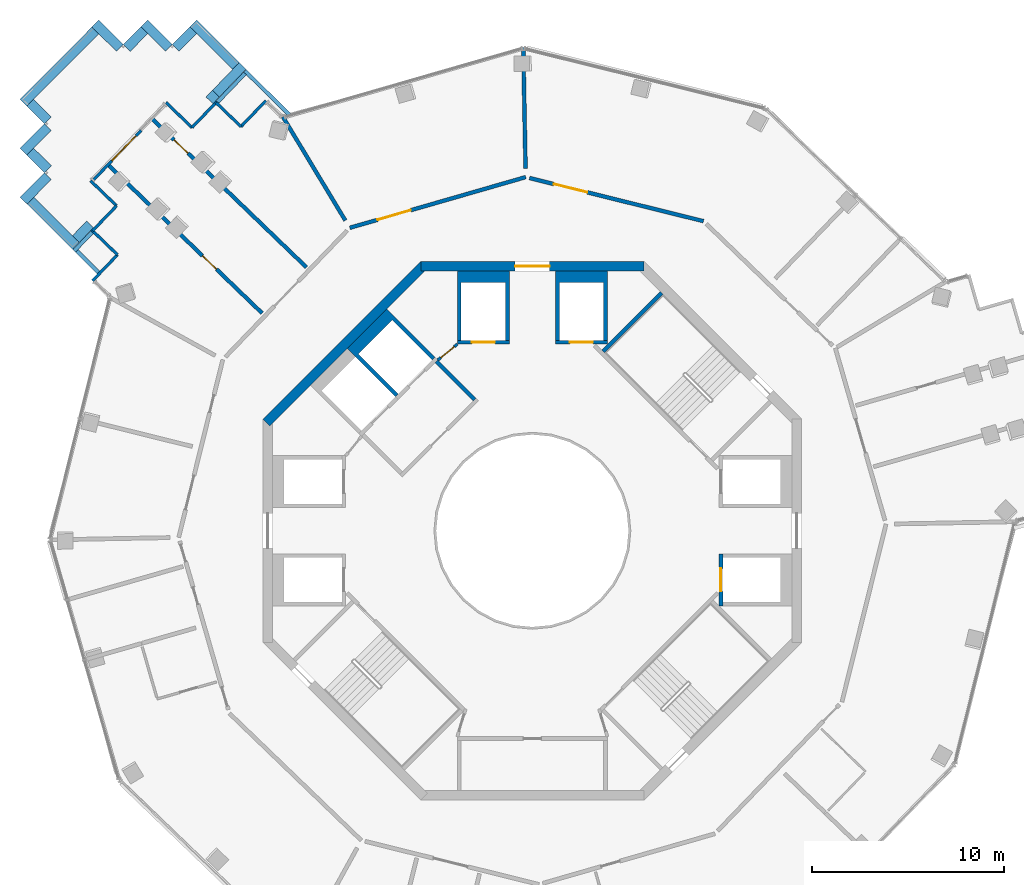
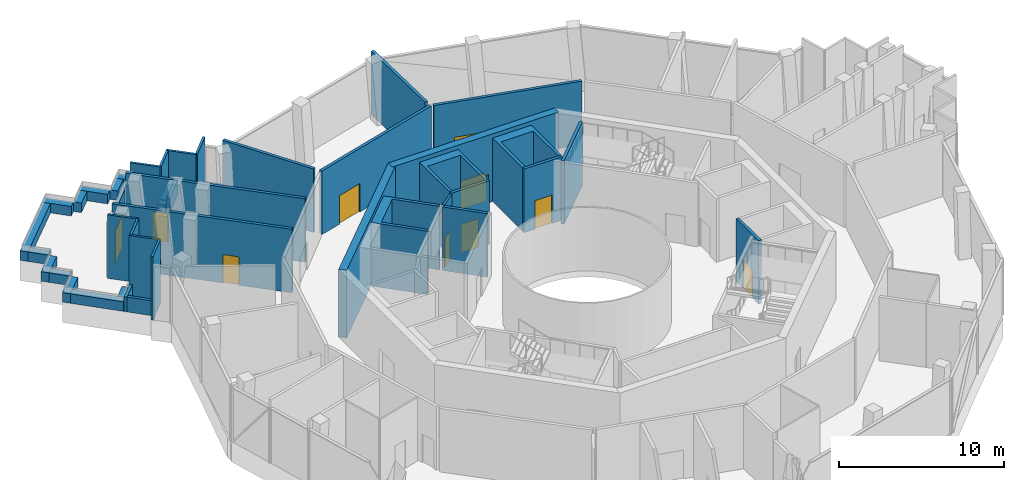
# One storey, part 10 of 17: 44 walls, 10 doors, 10 openings.
"""IFC4 building model written with IfcOpenShell, lengths in metres."""

from ifc_helpers import new_model, si_unit, direction, frame, frame_2d, origin, place, context, subcontext, project, spatial, polyline, rectangle, outline, extrude, material, layer, layer_set, type_object, element, fill, save


model = new_model("IFC4")

# Units and contexts
model_context = context("Model", 3, precision=1e-05, world=origin(), true_north=direction((0.0, 1.0)))
body_context = subcontext(model_context, "Body", "Model", "MODEL_VIEW")
ifc_project = project(units=[si_unit("LENGTHUNIT", "METRE"), si_unit("AREAUNIT", "SQUARE_METRE"), si_unit("VOLUMEUNIT", "CUBIC_METRE"), si_unit("PLANEANGLEUNIT", "RADIAN"), si_unit("MASSUNIT", "GRAM", prefix="KILO")], contexts=[model_context])

# Site, building, storey
site_placement = place(None, origin())
site = spatial("IfcSite", under=ifc_project, at=site_placement, CompositionType="ELEMENT")
building_placement = place(site_placement, origin())
building = spatial("IfcBuilding", under=site, at=building_placement, Name="Verdalira Terraces Hotel", CompositionType="ELEMENT")
storey_placement = place(building_placement, frame((0.0, 0.0, 222.0)))
storey = spatial("IfcBuildingStorey", under=building, at=storey_placement, Name="L54", CompositionType="ELEMENT", Elevation=222.0)

# Walls
ifc_material_1 = material(Name="Concrete C40", Category="concrete")
ifc_layer_1 = layer(ifc_material_1, 0.5)
ifc_layer_set_1 = layer_set([ifc_layer_1], Name="Balcony planter trough with tree")
wall_type_1 = type_object("IfcWallType", Name="Balcony planter trough with tree", PredefinedType="SOLIDWALL", material=ifc_layer_set_1)
wall_1_placement = place(storey_placement, frame((-16.784424, 22.369629, 0.0), z_axis=(0.0, 0.0, 1.0), x_axis=(0.693622313, 0.72033887, 0.0)))
element("IfcWall", 1, at=wall_1_placement, inside=storey, type_object=wall_type_1, Name="Balcony planter", PredefinedType="SOLIDWALL", context=body_context, shape_type="SweptSolid", body=[
    extrude(rectangle(XDim=0.484375, YDim=0.5, at=frame_2d((0.242188, 0.0))), origin(), (0.0, 0.0, 1.0), 0.699951),
])
wall_2_placement = place(storey_placement, frame((-16.448486, 22.718506, 0.0), z_axis=(0.0, 0.0, 1.0), x_axis=(0.693644028, 0.72031796, 0.0)))
element("IfcWall", 2, at=wall_2_placement, inside=storey, type_object=wall_type_1, Name="Balcony planter", PredefinedType="SOLIDWALL", context=body_context, shape_type="SweptSolid", body=[
    extrude(rectangle(XDim=2.004395, YDim=0.5, at=frame_2d((1.002197, 0.0))), origin(), (0.0, 0.0, 1.0), 0.699951),
])
wall_3_placement = place(storey_placement, frame((-15.408691, 24.164551, 0.0), z_axis=(0.0, 0.0, 1.0), x_axis=(-0.708550529, 0.70566008, 0.0)))
element("IfcWall", 3, at=wall_3_placement, inside=storey, type_object=wall_type_1, Name="Balcony planter", PredefinedType="SOLIDWALL", context=body_context, shape_type="SweptSolid", body=[
    extrude(rectangle(XDim=3.125244, YDim=0.5, at=frame_2d((1.5625, 0.0))), origin(), (0.0, 0.0, 1.0), 0.699951),
])
wall_4_placement = place(storey_placement, frame((-17.622314, 26.016113, 0.0), z_axis=(0.0, 0.0, 1.0), x_axis=(-0.705602704, -0.708607666, 0.0)))
element("IfcWall", 4, at=wall_4_placement, inside=storey, type_object=wall_type_1, Name="Balcony planter", PredefinedType="SOLIDWALL", context=body_context, shape_type="SweptSolid", body=[
    extrude(rectangle(XDim=1.300049, YDim=0.5, at=frame_2d((0.649902, 0.0))), origin(), (0.0, 0.0, 1.0), 0.699951),
])
wall_5_placement = place(storey_placement, frame((-18.893311, 25.094238, 0.0), z_axis=(0.0, 0.0, 1.0), x_axis=(-0.708529459, 0.705681235, 0.0)))
element("IfcWall", 5, at=wall_5_placement, inside=storey, type_object=wall_type_1, Name="Balcony planter", PredefinedType="SOLIDWALL", context=body_context, shape_type="SweptSolid", body=[
    extrude(rectangle(XDim=1.800049, YDim=0.5, at=frame_2d((0.899902, 0.0))), origin(), (0.0, 0.0, 1.0), 0.699951),
])
wall_6_placement = place(storey_placement, frame((-20.167969, 26.010986, 0.0), z_axis=(0.0, 0.0, 1.0), x_axis=(-0.705602704, -0.708607666, 0.0)))
element("IfcWall", 6, at=wall_6_placement, inside=storey, type_object=wall_type_1, Name="Balcony planter", PredefinedType="SOLIDWALL", context=body_context, shape_type="SweptSolid", body=[
    extrude(rectangle(XDim=1.300049, YDim=0.5, at=frame_2d((0.649902, 0.0))), origin(), (0.0, 0.0, 1.0), 0.699951),
])
wall_7_placement = place(storey_placement, frame((-21.438721, 25.089111, 0.0), z_axis=(0.0, 0.0, 1.0), x_axis=(-0.708597276, 0.705613138, 0.0)))
element("IfcWall", 7, at=wall_7_placement, inside=storey, type_object=wall_type_1, Name="Balcony planter", PredefinedType="SOLIDWALL", context=body_context, shape_type="SweptSolid", body=[
    extrude(rectangle(XDim=1.799805, YDim=0.5, at=frame_2d((0.899902, 0.0))), origin(), (0.0, 0.0, 1.0), 0.699951),
])
wall_8_placement = place(storey_placement, frame((-22.713379, 26.005615, 0.0), z_axis=(0.0, 0.0, 1.0), x_axis=(-0.705631245, -0.708579244, 0.0)))
element("IfcWall", 8, at=wall_8_placement, inside=storey, type_object=wall_type_1, Name="Balcony planter", PredefinedType="SOLIDWALL", context=body_context, shape_type="SweptSolid", body=[
    extrude(rectangle(XDim=5.300293, YDim=0.5, at=frame_2d((2.650146, 0.0))), origin(), (0.0, 0.0, 1.0), 0.699951),
])
wall_9_placement = place(storey_placement, frame((-26.099854, 22.250732, 0.0), z_axis=(0.0, 0.0, 1.0), x_axis=(0.708701153, -0.705508806, 0.0)))
element("IfcWall", 9, at=wall_9_placement, inside=storey, type_object=wall_type_1, Name="Balcony planter", PredefinedType="SOLIDWALL", context=body_context, shape_type="SweptSolid", body=[
    extrude(rectangle(XDim=1.300049, YDim=0.5, at=frame_2d((0.649902, 0.0))), origin(), (0.0, 0.0, 1.0), 0.699951),
])
wall_10_placement = place(storey_placement, frame((-25.177734, 20.97998, 0.0), z_axis=(0.0, 0.0, 1.0), x_axis=(-0.705681235, -0.708529459, 0.0)))
element("IfcWall", 10, at=wall_10_placement, inside=storey, type_object=wall_type_1, Name="Balcony planter", PredefinedType="SOLIDWALL", context=body_context, shape_type="SweptSolid", body=[
    extrude(rectangle(XDim=1.800049, YDim=0.5, at=frame_2d((0.899902, 0.0))), origin(), (0.0, 0.0, 1.0), 0.699951),
])
wall_11_placement = place(storey_placement, frame((-26.094482, 19.705322, 0.0), z_axis=(0.0, 0.0, 1.0), x_axis=(0.708513768, -0.705696989, 0.0)))
element("IfcWall", 11, at=wall_11_placement, inside=storey, type_object=wall_type_1, Name="Balcony planter", PredefinedType="SOLIDWALL", context=body_context, shape_type="SweptSolid", body=[
    extrude(rectangle(XDim=1.300049, YDim=0.5, at=frame_2d((0.649902, 0.0))), origin(), (0.0, 0.0, 1.0), 0.699951),
])
wall_12_placement = place(storey_placement, frame((-25.172607, 18.434326, 0.0), z_axis=(0.0, 0.0, 1.0), x_axis=(-0.705613138, -0.708597276, 0.0)))
element("IfcWall", 12, at=wall_12_placement, inside=storey, type_object=wall_type_1, Name="Balcony planter", PredefinedType="SOLIDWALL", context=body_context, shape_type="SweptSolid", body=[
    extrude(rectangle(XDim=1.799805, YDim=0.5, at=frame_2d((0.899902, 0.0))), origin(), (0.0, 0.0, 1.0), 0.699951),
])
wall_13_placement = place(storey_placement, frame((-26.089111, 17.159668, 0.0), z_axis=(0.0, 0.0, 1.0), x_axis=(0.708602295, -0.705608098, 0.0)))
element("IfcWall", 13, at=wall_13_placement, inside=storey, type_object=wall_type_1, Name="Balcony planter", PredefinedType="SOLIDWALL", context=body_context, shape_type="SweptSolid", body=[
    extrude(rectangle(XDim=3.343018, YDim=0.5, at=frame_2d((1.671387, 0.0))), origin(), (0.0, 0.0, 1.0), 0.699951),
])
wall_14_placement = place(storey_placement, frame((-23.72998, 15.157227, 0.0), z_axis=(0.0, 0.0, 1.0), x_axis=(0.693659192, 0.720303357, 0.0)))
element("IfcWall", 14, at=wall_14_placement, inside=storey, type_object=wall_type_1, Name="Balcony planter", PredefinedType="SOLIDWALL", context=body_context, shape_type="SweptSolid", body=[
    extrude(rectangle(XDim=1.072021, YDim=0.5, at=frame_2d((0.536133, 0.0))), origin(), (0.0, 0.0, 1.0), 0.699951),
])

# Wall, opening, door
ifc_material_2 = material(Name="Concrete C50", Category="concrete")
ifc_layer_2 = layer(ifc_material_2, 0.199951171875)
ifc_layer_set_2 = layer_set([ifc_layer_2], Name="Core RC wall 200 C50")
wall_type_2 = type_object("IfcWallType", Name="Core RC wall 200 C50", PredefinedType="SOLIDWALL", material=ifc_layer_set_2)
wall_15_placement = place(storey_placement, frame((9.800049, -1.199951, 0.0), z_axis=(0.0, 0.0, 1.0), x_axis=(0.0, -1.0, 0.0)))
wall_15 = element("IfcWall", 15, at=wall_15_placement, inside=storey, type_object=wall_type_2, Name="L54 shaft front wall E1", PredefinedType="SOLIDWALL", context=body_context, shape_type="SweptSolid", body=[
    extrude(rectangle(XDim=2.699951, YDim=0.199951, at=frame_2d((1.350098, 0.0))), origin(), (0.0, 0.0, 1.0), 4.689941),
])
opening_1_placement = place(wall_15_placement, frame((0.75, 0.0, 0.0)))
opening_1 = element("IfcOpeningElement", 16, at=opening_1_placement, cuts=wall_15, Name="Opening LD-L54-802", PredefinedType="OPENING", context=body_context, shape_type="SweptSolid", body=[
    extrude(rectangle(XDim=1.199951, YDim=2.100098, at=frame_2d((0.600098, 1.050049))), frame((0.0, 0.109863, 0.0), z_axis=(0.0, -1.0, 0.0), x_axis=(1.0, 0.0, 0.0)), (0.0, 0.0, 1.0), 0.219971),
])
ifc_material_3 = material(Name="Stainless steel", Category="steel")
door_type_1 = type_object("IfcDoorType", Name="Landing door 1200 x 2100", OperationType="NOTDEFINED", PredefinedType="DOOR", material=ifc_material_3)
door_1_placement = place(opening_1_placement, origin())
door_1 = element("IfcDoor", 17, at=door_1_placement, inside=storey, type_object=door_type_1, Name="Lift landing door HR1 L54", OperationType="DOUBLE_DOOR_SLIDING", OverallHeight=2.10009765625, OverallWidth=1.199951171875, PredefinedType="DOOR", context=body_context, shape_type="SweptSolid", body=[
    extrude(rectangle(XDim=1.199951, YDim=2.100098, at=frame_2d((0.600098, 1.050049))), frame((0.0, 0.024902, 0.0), z_axis=(0.0, -1.0, 0.0), x_axis=(1.0, 0.0, 0.0)), (0.0, 0.0, 1.0), 0.050049),
])
fill(opening_1, door_1)

# Wall
wall_16_placement = place(storey_placement, origin())
element("IfcWall", 18, at=wall_16_placement, inside=storey, type_object=wall_type_2, Name="L54 shaft wall N1", PredefinedType="SOLIDWALL", context=body_context, shape_type="SweptSolid", body=[
    extrude(outline(polyline([(3.899902, 9.899902), (3.699951, 9.899902), (3.699951, 12.899902), (1.399902, 12.899902), (1.399902, 9.899902), (1.199951, 9.899902), (1.199951, 13.5), (3.899902, 13.5), (3.899902, 9.899902)])), origin(), (0.0, 0.0, 1.0), 4.689941),
])

# Wall, opening, door
wall_17_placement = place(storey_placement, frame((1.199951, 9.800049, 0.0), z_axis=(0.0, 0.0, 1.0), x_axis=(1.0, 0.0, 0.0)))
wall_17 = element("IfcWall", 19, at=wall_17_placement, inside=storey, type_object=wall_type_2, Name="L54 shaft front wall N1", PredefinedType="SOLIDWALL", context=body_context, shape_type="SweptSolid", body=[
    extrude(rectangle(XDim=2.699951, YDim=0.199951, at=frame_2d((1.350098, 0.0))), origin(), (0.0, 0.0, 1.0), 4.689941),
])
opening_2_placement = place(wall_17_placement, frame((0.75, 0.0, 0.0)))
opening_2 = element("IfcOpeningElement", 20, at=opening_2_placement, cuts=wall_17, Name="Opening LD-L54-804", PredefinedType="OPENING", context=body_context, shape_type="SweptSolid", body=[
    extrude(rectangle(XDim=1.199951, YDim=2.100098, at=frame_2d((0.600098, 1.050049))), frame((0.0, 0.109863, 0.0), z_axis=(0.0, -1.0, 0.0), x_axis=(1.0, 0.0, 0.0)), (0.0, 0.0, 1.0), 0.219971),
])
door_2_placement = place(opening_2_placement, origin())
door_2 = element("IfcDoor", 21, at=door_2_placement, inside=storey, type_object=door_type_1, Name="Lift landing door HR3 L54", OperationType="DOUBLE_DOOR_SLIDING", OverallHeight=2.10009765625, OverallWidth=1.199951171875, PredefinedType="DOOR", context=body_context, shape_type="SweptSolid", body=[
    extrude(rectangle(XDim=1.199951, YDim=2.100098, at=frame_2d((0.600098, 1.050049))), frame((0.0, 0.024902, 0.0), z_axis=(0.0, -1.0, 0.0), x_axis=(1.0, 0.0, 0.0)), (0.0, 0.0, 1.0), 0.050049),
])
fill(opening_2, door_2)

# Wall
wall_18_placement = place(storey_placement, origin())
element("IfcWall", 22, at=wall_18_placement, inside=storey, type_object=wall_type_2, Name="L54 shaft wall N2", PredefinedType="SOLIDWALL", context=body_context, shape_type="SweptSolid", body=[
    extrude(outline(polyline([(-3.899902, 13.5), (-1.199951, 13.5), (-1.199951, 9.899902), (-1.399902, 9.899902), (-1.399902, 12.899902), (-3.699951, 12.899902), (-3.699951, 9.899902), (-3.899902, 9.899902), (-3.899902, 13.5)])), origin(), (0.0, 0.0, 1.0), 4.689941),
])

# Wall, opening, door
wall_19_placement = place(storey_placement, frame((-1.199951, 9.800049, 0.0), z_axis=(0.0, 0.0, 1.0), x_axis=(-1.0, 0.0, 0.0)))
wall_19 = element("IfcWall", 23, at=wall_19_placement, inside=storey, type_object=wall_type_2, Name="L54 shaft front wall N2", PredefinedType="SOLIDWALL", context=body_context, shape_type="SweptSolid", body=[
    extrude(rectangle(XDim=2.699951, YDim=0.199951, at=frame_2d((1.350098, 0.0))), origin(), (0.0, 0.0, 1.0), 4.689941),
])
opening_3_placement = place(wall_19_placement, frame((0.75, 0.0, 0.0)))
opening_3 = element("IfcOpeningElement", 24, at=opening_3_placement, cuts=wall_19, Name="Opening LD-L54-805", PredefinedType="OPENING", context=body_context, shape_type="SweptSolid", body=[
    extrude(rectangle(XDim=1.199951, YDim=2.100098, at=frame_2d((0.600098, 1.050049))), frame((0.0, 0.109863, 0.0), z_axis=(0.0, -1.0, 0.0), x_axis=(1.0, 0.0, 0.0)), (0.0, 0.0, 1.0), 0.219971),
])
door_3_placement = place(opening_3_placement, origin())
door_3 = element("IfcDoor", 25, at=door_3_placement, inside=storey, type_object=door_type_1, Name="Lift landing door HR4 L54", OperationType="DOUBLE_DOOR_SLIDING", OverallHeight=2.10009765625, OverallWidth=1.199951171875, PredefinedType="DOOR", context=body_context, shape_type="SweptSolid", body=[
    extrude(rectangle(XDim=1.199951, YDim=2.100098, at=frame_2d((0.600098, 1.050049))), frame((0.0, 0.024902, 0.0), z_axis=(0.0, -1.0, 0.0), x_axis=(1.0, 0.0, 0.0)), (0.0, 0.0, 1.0), 0.050049),
])
fill(opening_3, door_3)

# Walls
wall_20_placement = place(storey_placement, origin())
element("IfcWall", 26, at=wall_20_placement, inside=storey, type_object=wall_type_2, Name="L54 shaft wall F1", PredefinedType="SOLIDWALL", context=body_context, shape_type="SweptSolid", body=[
    extrude(outline(polyline([(-9.616699, 9.475098), (-7.565918, 11.525879), (-5.055908, 9.015625), (-5.197266, 8.874268), (-7.283203, 10.960205), (-9.051025, 9.192383), (-6.965088, 7.106445), (-7.106445, 6.965088), (-9.616699, 9.475098)])), origin(), (0.0, 0.0, 1.0), 4.689941),
])
wall_21_placement = place(storey_placement, frame((3.677002, 9.33374, 0.0), z_axis=(0.0, 0.0, 1.0), x_axis=(0.707078393, 0.707135168, 0.0)))
element("IfcWall", 27, at=wall_21_placement, inside=storey, type_object=wall_type_2, Name="L54 stair ST1 end wall 2", PredefinedType="SOLIDWALL", context=body_context, shape_type="SweptSolid", body=[
    extrude(rectangle(XDim=4.300049, YDim=0.199951, at=frame_2d((2.149902, 0.0))), origin(), (0.0, 0.0, 1.0), 4.689941),
])
wall_22_placement = place(storey_placement, frame((-3.005127, 6.823486, 0.0), z_axis=(0.0, 0.0, 1.0), x_axis=(-0.707106781, 0.707106781, 0.0)))
element("IfcWall", 28, at=wall_22_placement, inside=storey, type_object=wall_type_2, Name="L54 fire lobby wall", PredefinedType="SOLIDWALL", context=body_context, shape_type="SweptSolid", body=[
    extrude(rectangle(XDim=2.800049, YDim=0.199951, at=frame_2d((1.399902, 0.0))), origin(), (0.0, 0.0, 1.0), 4.689941),
])

# Wall, opening, door
ifc_material_4 = material(Name="Gypsum board partition")
ifc_layer_3 = layer(ifc_material_4, 0.14990234375)
ifc_layer_set_3 = layer_set([ifc_layer_3], Name="Core partition 150 mm")
wall_type_3 = type_object("IfcWallType", Name="Core partition 150 mm", PredefinedType="PARTITIONING", material=ifc_layer_set_3)
wall_23_placement = place(storey_placement, frame((-3.899902, 9.699951, 0.0), z_axis=(0.0, 0.0, 1.0), x_axis=(-0.775559878, -0.631274009, 0.0)))
wall_23 = element("IfcWall", 29, at=wall_23_placement, inside=storey, type_object=wall_type_3, Name="Room partition L54", PredefinedType="PARTITIONING", context=body_context, shape_type="SweptSolid", body=[
    extrude(rectangle(XDim=1.307861, YDim=0.149902, at=frame_2d((0.653809, 0.0))), origin(), (0.0, 0.0, 1.0), 4.689941),
])
opening_4_placement = place(wall_23_placement, frame((0.204102, 0.0, 0.0)))
opening_4 = element("IfcOpeningElement", 30, at=opening_4_placement, cuts=wall_23, Name="Opening L54-820", PredefinedType="OPENING", context=body_context, shape_type="SweptSolid", body=[
    extrude(rectangle(XDim=0.899902, YDim=2.100098, at=frame_2d((0.449951, 1.050049))), frame((0.0, 0.084961, 0.0), z_axis=(0.0, -1.0, 0.0), x_axis=(1.0, 0.0, 0.0)), (0.0, 0.0, 1.0), 0.169922),
])
ifc_material_5 = material(Name="Steel fire door", Category="steel")
door_type_2 = type_object("IfcDoorType", Name="Core room door 900 x 2100", OperationType="NOTDEFINED", PredefinedType="DOOR", material=ifc_material_5)
door_4_placement = place(opening_4_placement, origin())
door_4 = element("IfcDoor", 31, at=door_4_placement, inside=storey, type_object=door_type_2, Name="Door L54 room2", OperationType="SINGLE_SWING_LEFT", OverallHeight=2.10009765625, OverallWidth=0.89990234375, PredefinedType="DOOR", context=body_context, shape_type="SweptSolid", body=[
    extrude(rectangle(XDim=0.899902, YDim=2.100098, at=frame_2d((0.449951, 1.050049))), frame((0.0, 0.024902, 0.0), z_axis=(0.0, -1.0, 0.0), x_axis=(1.0, 0.0, 0.0)), (0.0, 0.0, 1.0), 0.050049),
])
fill(opening_4, door_4)

ifc_material_6 = material(Name="Concrete C50", Category="concrete")
ifc_layer_4 = layer(ifc_material_6, 0.5)
ifc_layer_set_4 = layer_set([ifc_layer_4], Name="Core wall 500 C50")
wall_type_4 = type_object("IfcWallType", Name="Core wall 500 C50", PredefinedType="SHEAR", material=ifc_layer_set_4)
wall_24_placement = place(storey_placement, frame((5.799072, 13.75, 0.0), z_axis=(0.0, 0.0, 1.0), x_axis=(-1.0, 0.0, 0.0)))
wall_24 = element("IfcWall", 32, at=wall_24_placement, inside=storey, type_object=wall_type_4, Name="Core wall CW-L54-3", PredefinedType="SHEAR", context=body_context, shape_type="SweptSolid", body=[
    extrude(rectangle(XDim=11.598145, YDim=0.5, at=frame_2d((5.799072, 0.0))), origin(), (0.0, 0.0, 1.0), 5.0),
])
opening_5_placement = place(wall_24_placement, frame((4.898926, 0.0, 0.0)))
opening_5 = element("IfcOpeningElement", 33, at=opening_5_placement, cuts=wall_24, Name="Opening L54-814", PredefinedType="OPENING", context=body_context, shape_type="SweptSolid", body=[
    extrude(rectangle(XDim=1.800049, YDim=2.100098, at=frame_2d((0.899902, 1.050049))), frame((0.0, 0.26001, 0.0), z_axis=(0.0, -1.0, 0.0), x_axis=(1.0, 0.0, 0.0)), (0.0, 0.0, 1.0), 0.52002),
])
ifc_material_7 = material(Name="Steel fire door", Category="steel")
door_type_3 = type_object("IfcDoorType", Name="Core entry door pair 1800 x 2100", OperationType="NOTDEFINED", PredefinedType="DOOR", material=ifc_material_7)
door_5_placement = place(opening_5_placement, origin())
door_5 = element("IfcDoor", 34, at=door_5_placement, inside=storey, type_object=door_type_3, Name="Core entry door L54 2", OperationType="DOUBLE_DOOR_SINGLE_SWING", OverallHeight=2.10009765625, OverallWidth=1.800048828125, PredefinedType="DOOR", context=body_context, shape_type="SweptSolid", body=[
    extrude(rectangle(XDim=1.800049, YDim=2.100098, at=frame_2d((0.899902, 1.050049))), frame((0.0, 0.024902, 0.0), z_axis=(0.0, -1.0, 0.0), x_axis=(1.0, 0.0, 0.0)), (0.0, 0.0, 1.0), 0.050049),
])
fill(opening_5, door_5)

# Wall
wall_25_placement = place(storey_placement, frame((-5.622314, 13.823242, 0.0), z_axis=(0.0, 0.0, 1.0), x_axis=(-0.707106781, -0.707106781, 0.0)))
element("IfcWall", 35, at=wall_25_placement, inside=storey, type_object=wall_type_4, Name="Core wall CW-L54-4", PredefinedType="SHEAR", context=body_context, shape_type="SweptSolid", body=[
    extrude(rectangle(XDim=11.5979, YDim=0.5, at=frame_2d((5.798828, 0.0))), origin(), (0.0, 0.0, 1.0), 5.0),
])

# Wall, opening, door
ifc_material_8 = material(Name="Fire-rated gypsum board wall")
ifc_layer_5 = layer(ifc_material_8, 0.199951171875)
ifc_layer_set_5 = layer_set([ifc_layer_5], Name="Demising wall 200 mm")
wall_type_5 = type_object("IfcWallType", Name="Demising wall 200 mm", PredefinedType="SOLIDWALL", material=ifc_layer_set_5)
wall_26_placement = place(storey_placement, frame((-14.043701, 11.306152, 0.0), z_axis=(0.0, 0.0, 1.0), x_axis=(-0.720312548, 0.693649647, 0.0)))
wall_26 = element("IfcWall", 36, at=wall_26_placement, inside=storey, type_object=wall_type_5, Name="Demising wall", PredefinedType="SOLIDWALL", context=body_context, shape_type="SweptSolid", body=[
    extrude(rectangle(XDim=11.198486, YDim=0.199951, at=frame_2d((5.599121, 0.0))), origin(), (0.0, 0.0, 1.0), 4.689941),
])
opening_6_placement = place(wall_26_placement, frame((3.300049, 0.0, 0.0)))
opening_6 = element("IfcOpeningElement", 37, at=opening_6_placement, cuts=wall_26, Name="Opening L54-103", PredefinedType="OPENING", context=body_context, shape_type="SweptSolid", body=[
    extrude(rectangle(XDim=1.0, YDim=2.100098, at=frame_2d((0.5, 1.050049))), frame((0.0, 0.109863, 0.0), z_axis=(0.0, -1.0, 0.0), x_axis=(1.0, 0.0, 0.0)), (0.0, 0.0, 1.0), 0.219971),
])
ifc_material_9 = material(Name="Timber fire door", Category="wood")
door_type_4 = type_object("IfcDoorType", Name="Public room door 1000 x 2100", OperationType="NOTDEFINED", PredefinedType="DOOR", material=ifc_material_9)
door_6_placement = place(opening_6_placement, origin())
door_6 = element("IfcDoor", 38, at=door_6_placement, inside=storey, type_object=door_type_4, Name="Public room door 5401", OperationType="SINGLE_SWING_LEFT", OverallHeight=2.10009765625, OverallWidth=1.0, PredefinedType="DOOR", context=body_context, shape_type="SweptSolid", body=[
    extrude(rectangle(XDim=1.0, YDim=2.100098, at=frame_2d((0.5, 1.050049))), frame((0.0, 0.024902, 0.0), z_axis=(0.0, -1.0, 0.0), x_axis=(1.0, 0.0, 0.0)), (0.0, 0.0, 1.0), 0.050049),
])
fill(opening_6, door_6)

wall_27_placement = place(storey_placement, frame((-19.810791, 21.46167, 0.0), z_axis=(0.0, 0.0, 1.0), x_axis=(0.720312548, -0.693649647, 0.0)))
wall_27 = element("IfcWall", 39, at=wall_27_placement, inside=storey, type_object=wall_type_5, Name="Demising wall", PredefinedType="SOLIDWALL", context=body_context, shape_type="SweptSolid", body=[
    extrude(rectangle(XDim=11.198486, YDim=0.199951, at=frame_2d((5.599121, 0.0))), origin(), (0.0, 0.0, 1.0), 4.689941),
])
opening_7_placement = place(wall_27_placement, frame((1.649902, 0.0, 0.0)))
opening_7 = element("IfcOpeningElement", 40, at=opening_7_placement, cuts=wall_27, Name="Opening L54-102", PredefinedType="OPENING", context=body_context, shape_type="SweptSolid", body=[
    extrude(rectangle(XDim=1.0, YDim=2.100098, at=frame_2d((0.5, 1.050049))), frame((0.0, 0.109863, 0.0), z_axis=(0.0, -1.0, 0.0), x_axis=(1.0, 0.0, 0.0)), (0.0, 0.0, 1.0), 0.219971),
])
door_7_placement = place(opening_7_placement, origin())
door_7 = element("IfcDoor", 41, at=door_7_placement, inside=storey, type_object=door_type_4, Name="Public room door 5401", OperationType="SINGLE_SWING_LEFT", OverallHeight=2.10009765625, OverallWidth=1.0, PredefinedType="DOOR", context=body_context, shape_type="SweptSolid", body=[
    extrude(rectangle(XDim=1.0, YDim=2.100098, at=frame_2d((0.5, 1.050049))), frame((0.0, 0.024902, 0.0), z_axis=(0.0, -1.0, 0.0), x_axis=(1.0, 0.0, 0.0)), (0.0, 0.0, 1.0), 0.050049),
])
fill(opening_7, door_7)

# Walls
wall_28_placement = place(storey_placement, frame((-12.9646, 21.508789, 0.0), z_axis=(0.0, 0.0, 1.0), x_axis=(0.516232154, -0.856448693, 0.0)))
element("IfcWall", 42, at=wall_28_placement, inside=storey, type_object=wall_type_5, Name="Demising wall", PredefinedType="SOLIDWALL", context=body_context, shape_type="SweptSolid", body=[
    extrude(rectangle(XDim=6.281982, YDim=0.199951, at=frame_2d((3.141113, 0.0))), origin(), (0.0, 0.0, 1.0), 4.689941),
])
wall_29_placement = place(storey_placement, frame((-0.35498, 18.828613, 0.0), z_axis=(0.0, 0.0, 1.0), x_axis=(-0.018848441, 0.999822352, 0.0)))
element("IfcWall", 43, at=wall_29_placement, inside=storey, type_object=wall_type_5, Name="Demising wall", PredefinedType="SOLIDWALL", context=body_context, shape_type="SweptSolid", body=[
    extrude(rectangle(XDim=6.282227, YDim=0.199951, at=frame_2d((3.141113, 0.0))), origin(), (0.0, 0.0, 1.0), 4.689941),
])

# Wall, opening, door
ifc_material_10 = material(Name="Fire-rated gypsum board wall")
ifc_layer_6 = layer(ifc_material_10, 0.199951171875)
ifc_layer_set_6 = layer_set([ifc_layer_6], Name="Guest corridor wall 200 mm")
wall_type_6 = type_object("IfcWallType", Name="Guest corridor wall 200 mm", PredefinedType="SOLIDWALL", material=ifc_layer_set_6)
wall_30_placement = place(storey_placement, frame((-9.490723, 15.745605, 0.0), z_axis=(0.0, 0.0, 1.0), x_axis=(0.960871663, 0.276993948, 0.0)))
wall_30 = element("IfcWall", 44, at=wall_30_placement, inside=storey, type_object=wall_type_6, Name="Guest corridor wall", PredefinedType="SOLIDWALL", context=body_context, shape_type="SweptSolid", body=[
    extrude(rectangle(XDim=9.516357, YDim=0.199951, at=frame_2d((4.758301, 0.0))), origin(), (0.0, 0.0, 1.0), 4.689941),
])
opening_8_placement = place(wall_30_placement, frame((1.5, 0.0, 0.0)))
opening_8 = element("IfcOpeningElement", 45, at=opening_8_placement, cuts=wall_30, Name="Opening L54-120", PredefinedType="OPENING", context=body_context, shape_type="SweptSolid", body=[
    extrude(rectangle(XDim=1.800049, YDim=2.100098, at=frame_2d((0.899902, 1.050049))), frame((0.0, 0.109863, 0.0), z_axis=(0.0, -1.0, 0.0), x_axis=(1.0, 0.0, 0.0)), (0.0, 0.0, 1.0), 0.219971),
])
ifc_material_11 = material(Name="Timber fire door", Category="wood")
door_type_5 = type_object("IfcDoorType", Name="Public room double door 1800 x 2100", OperationType="NOTDEFINED", PredefinedType="DOOR", material=ifc_material_11)
door_8_placement = place(opening_8_placement, origin())
door_8 = element("IfcDoor", 46, at=door_8_placement, inside=storey, type_object=door_type_5, Name="Public room double door 5410", OperationType="DOUBLE_DOOR_SINGLE_SWING", OverallHeight=2.10009765625, OverallWidth=1.800048828125, PredefinedType="DOOR", context=body_context, shape_type="SweptSolid", body=[
    extrude(rectangle(XDim=1.800049, YDim=2.100098, at=frame_2d((0.899902, 1.050049))), frame((0.0, 0.024902, 0.0), z_axis=(0.0, -1.0, 0.0), x_axis=(1.0, 0.0, 0.0)), (0.0, 0.0, 1.0), 0.050049),
])
fill(opening_8, door_8)

wall_31_placement = place(storey_placement, frame((-0.152344, 18.333496, 0.0), z_axis=(0.0, 0.0, 1.0), x_axis=(0.970630731, -0.240574278, 0.0)))
wall_31 = element("IfcWall", 47, at=wall_31_placement, inside=storey, type_object=wall_type_6, Name="Guest corridor wall", PredefinedType="SOLIDWALL", context=body_context, shape_type="SweptSolid", body=[
    extrude(rectangle(XDim=9.316162, YDim=0.199951, at=frame_2d((4.658203, 0.0))), origin(), (0.0, 0.0, 1.0), 4.689941),
])
opening_9_placement = place(wall_31_placement, frame((1.300049, 0.0, 0.0)))
opening_9 = element("IfcOpeningElement", 48, at=opening_9_placement, cuts=wall_31, Name="Opening L54-119", PredefinedType="OPENING", context=body_context, shape_type="SweptSolid", body=[
    extrude(rectangle(XDim=1.800049, YDim=2.100098, at=frame_2d((0.899902, 1.050049))), frame((0.0, 0.109863, 0.0), z_axis=(0.0, -1.0, 0.0), x_axis=(1.0, 0.0, 0.0)), (0.0, 0.0, 1.0), 0.219971),
])
door_9_placement = place(opening_9_placement, origin())
door_9 = element("IfcDoor", 49, at=door_9_placement, inside=storey, type_object=door_type_5, Name="Public room double door 5409", OperationType="DOUBLE_DOOR_SINGLE_SWING", OverallHeight=2.10009765625, OverallWidth=1.800048828125, PredefinedType="DOOR", context=body_context, shape_type="SweptSolid", body=[
    extrude(rectangle(XDim=1.800049, YDim=2.100098, at=frame_2d((0.899902, 1.050049))), frame((0.0, 0.024902, 0.0), z_axis=(0.0, -1.0, 0.0), x_axis=(1.0, 0.0, 0.0)), (0.0, 0.0, 1.0), 0.050049),
])
fill(opening_9, door_9)

# Walls
ifc_material_12 = material(Name="Terracotta cladding", Category="masonry")
ifc_layer_7 = layer(ifc_material_12, 0.199951171875)
ifc_layer_set_7 = layer_set([ifc_layer_7], Name="Terracotta clad parapet 200")
wall_type_7 = type_object("IfcWallType", Name="Terracotta clad parapet 200", PredefinedType="PARAPET", material=ifc_layer_set_7)
wall_32_placement = place(storey_placement, frame((-12.637939, 21.617188, 0.0), z_axis=(0.0, 0.0, 1.0), x_axis=(-0.708569717, 0.705640812, 0.0)))
element("IfcWall", 50, at=wall_32_placement, inside=storey, type_object=wall_type_7, Name="Terracotta clad parapet", PredefinedType="PARAPET", context=body_context, shape_type="SweptSolid", body=[
    extrude(rectangle(XDim=3.250977, YDim=0.199951, at=frame_2d((1.625488, 0.0))), origin(), (0.0, 0.0, 1.0), 1.100098),
])
wall_33_placement = place(storey_placement, frame((-14.9375, 23.768555, 0.0), z_axis=(0.0, 0.0, 1.0), x_axis=(-0.693637128, -0.720324603, 0.0)))
element("IfcWall", 51, at=wall_33_placement, inside=storey, type_object=wall_type_7, Name="Terracotta clad parapet", PredefinedType="PARAPET", context=body_context, shape_type="SweptSolid", body=[
    extrude(rectangle(XDim=2.05835, YDim=0.199951, at=frame_2d((1.029297, 0.0))), origin(), (0.0, 0.0, 1.0), 1.100098),
])
wall_34_placement = place(storey_placement, frame((-22.886963, 15.513672, 0.0), z_axis=(0.0, 0.0, 1.0), x_axis=(-0.69360672, -0.720353884, 0.0)))
element("IfcWall", 52, at=wall_34_placement, inside=storey, type_object=wall_type_7, Name="Terracotta clad parapet", PredefinedType="PARAPET", context=body_context, shape_type="SweptSolid", body=[
    extrude(rectangle(XDim=1.341797, YDim=0.199951, at=frame_2d((0.670898, 0.0))), origin(), (0.0, 0.0, 1.0), 1.100098),
])
wall_35_placement = place(storey_placement, frame((-23.67749, 14.546387, 0.0), z_axis=(0.0, 0.0, 1.0), x_axis=(0.708566075, -0.70564447, 0.0)))
element("IfcWall", 53, at=wall_35_placement, inside=storey, type_object=wall_type_7, Name="Terracotta clad parapet", PredefinedType="PARAPET", context=body_context, shape_type="SweptSolid", body=[
    extrude(rectangle(XDim=1.587646, YDim=0.199951, at=frame_2d((0.793945, 0.0))), origin(), (0.0, 0.0, 1.0), 1.100098),
])
ifc_material_13 = material(Name="Terracotta cladding", Category="masonry")
ifc_layer_8 = layer(ifc_material_13, 0.14990234375)
ifc_layer_set_8 = layer_set([ifc_layer_8], Name="Terracotta clad wall 150")
wall_type_8 = type_object("IfcWallType", Name="Terracotta clad wall 150", PredefinedType="SOLIDWALL", material=ifc_layer_set_8)
wall_36_placement = place(storey_placement, frame((-13.845947, 22.357422, 0.0), z_axis=(0.0, 0.0, 1.0), x_axis=(-0.693701734, -0.720262386, 0.0)))
element("IfcWall", 54, at=wall_36_placement, inside=storey, type_object=wall_type_8, Name="Terracotta cladding wall", PredefinedType="SOLIDWALL", context=body_context, shape_type="SweptSolid", body=[
    extrude(rectangle(XDim=1.875244, YDim=0.149902, at=frame_2d((0.9375, 0.0))), origin(), (0.0, 0.0, 1.0), 4.689941),
])
wall_37_placement = place(storey_placement, frame((-15.146729, 21.006836, 0.0), z_axis=(0.0, 0.0, 1.0), x_axis=(-0.720207258, 0.693758968, 0.0)))
element("IfcWall", 55, at=wall_37_placement, inside=storey, type_object=wall_type_8, Name="Terracotta cladding wall", PredefinedType="SOLIDWALL", context=body_context, shape_type="SweptSolid", body=[
    extrude(rectangle(XDim=1.800049, YDim=0.149902, at=frame_2d((0.899902, 0.0))), origin(), (0.0, 0.0, 1.0), 4.689941),
])
for number, where, z_axis, x_axis, name in (
    (56, (-16.391113, 22.30957, 0.0), (0.0, 0.0, 1.0), (-0.69363418, -0.720327442, 0.0), "Terracotta cladding wall"),
    (57, (-17.69165, 20.958984, 0.0), (0.0, 0.0, 1.0), (-0.720327442, 0.69363418, 0.0), "Terracotta cladding wall"),
):
    element("IfcWall", number, at=place(storey_placement, frame(where, z_axis=z_axis, x_axis=x_axis)), inside=storey, type_object=wall_type_8, Name=name, PredefinedType="SOLIDWALL", context=body_context, shape_type="SweptSolid", body=[
        extrude(rectangle(XDim=1.875, YDim=0.149902, at=frame_2d((0.9375, 0.0))), origin(), (0.0, 0.0, 1.0), 4.689941),
    ])
wall_38_placement = place(storey_placement, frame((-22.961426, 18.189941, 0.0), z_axis=(0.0, 0.0, 1.0), x_axis=(0.720262386, -0.693701734, 0.0)))
element("IfcWall", 58, at=wall_38_placement, inside=storey, type_object=wall_type_8, Name="Terracotta cladding wall", PredefinedType="SOLIDWALL", context=body_context, shape_type="SweptSolid", body=[
    extrude(rectangle(XDim=1.875244, YDim=0.149902, at=frame_2d((0.9375, 0.0))), origin(), (0.0, 0.0, 1.0), 4.689941),
])
wall_39_placement = place(storey_placement, frame((-21.61084, 16.88916, 0.0), z_axis=(0.0, 0.0, 1.0), x_axis=(-0.693688606, -0.720275029, 0.0)))
element("IfcWall", 59, at=wall_39_placement, inside=storey, type_object=wall_type_8, Name="Terracotta cladding wall", PredefinedType="SOLIDWALL", context=body_context, shape_type="SweptSolid", body=[
    extrude(rectangle(XDim=1.799805, YDim=0.149902, at=frame_2d((0.899902, 0.0))), origin(), (0.0, 0.0, 1.0), 4.689941),
])
wall_40_placement = place(storey_placement, frame((-22.913574, 15.644775, 0.0), z_axis=(0.0, 0.0, 1.0), x_axis=(0.720262386, -0.693701734, 0.0)))
element("IfcWall", 60, at=wall_40_placement, inside=storey, type_object=wall_type_8, Name="Terracotta cladding wall", PredefinedType="SOLIDWALL", context=body_context, shape_type="SweptSolid", body=[
    extrude(rectangle(XDim=1.875244, YDim=0.149902, at=frame_2d((0.9375, 0.0))), origin(), (0.0, 0.0, 1.0), 4.689941),
])
wall_41_placement = place(storey_placement, frame((-21.562988, 14.343994, 0.0), z_axis=(0.0, 0.0, 1.0), x_axis=(-0.69363418, -0.720327442, 0.0)))
element("IfcWall", 61, at=wall_41_placement, inside=storey, type_object=wall_type_8, Name="Terracotta cladding wall", PredefinedType="SOLIDWALL", context=body_context, shape_type="SweptSolid", body=[
    extrude(rectangle(XDim=1.875, YDim=0.149902, at=frame_2d((0.9375, 0.0))), origin(), (0.0, 0.0, 1.0), 4.689941),
])

# Wall, opening, door
ifc_material_14 = material(Name="Terracotta cladding", Category="masonry")
ifc_layer_9 = layer(ifc_material_14, 0.14990234375)
ifc_layer_set_9 = layer_set([ifc_layer_9], Name="Terracotta door pier 150")
wall_type_9 = type_object("IfcWallType", Name="Terracotta door pier 150", PredefinedType="SOLIDWALL", material=ifc_layer_set_9)
wall_42_placement = place(storey_placement, frame((-22.806885, 18.242188, 0.0), z_axis=(0.0, 0.0, 1.0), x_axis=(0.69364563, 0.720316417, 0.0)))
wall_42 = element("IfcWall", 62, at=wall_42_placement, inside=storey, type_object=wall_type_9, Name="Terracotta door pier", PredefinedType="SOLIDWALL", context=body_context, shape_type="SweptSolid", body=[
    extrude(rectangle(XDim=3.570068, YDim=0.149902, at=frame_2d((1.785156, 0.0))), origin(), (0.0, 0.0, 1.0), 4.014893),
])
opening_10_placement = place(wall_42_placement, frame((1.370117, 0.0, 0.0)))
opening_10 = element("IfcOpeningElement", 63, at=opening_10_placement, cuts=wall_42, Name="Opening L54-G01", PredefinedType="OPENING", context=body_context, shape_type="SweptSolid", body=[
    extrude(rectangle(XDim=1.800049, YDim=2.399902, at=frame_2d((0.899902, 1.199951))), frame((0.0, 0.084961, 0.0), z_axis=(0.0, -1.0, 0.0), x_axis=(1.0, 0.0, 0.0)), (0.0, 0.0, 1.0), 0.169922),
])
ifc_material_15 = material(Name="Clear glass", Category="glass")
door_type_6 = type_object("IfcDoorType", Name="Garden double door 1800x2400", OperationType="NOTDEFINED", PredefinedType="DOOR", material=ifc_material_15)
door_10_placement = place(opening_10_placement, origin())
door_10 = element("IfcDoor", 64, at=door_10_placement, inside=storey, type_object=door_type_6, Name="Garden double door", OperationType="DOUBLE_DOOR_SINGLE_SWING", OverallHeight=2.39990234375, OverallWidth=1.800048828125, PredefinedType="DOOR", context=body_context, shape_type="SweptSolid", body=[
    extrude(rectangle(XDim=1.800049, YDim=2.399902, at=frame_2d((0.899902, 1.199951))), frame((0.0, 0.024902, 0.0), z_axis=(0.0, -1.0, 0.0), x_axis=(1.0, 0.0, 0.0)), (0.0, 0.0, 1.0), 0.050049),
])
fill(opening_10, door_10)

save(model, "model.ifc")
